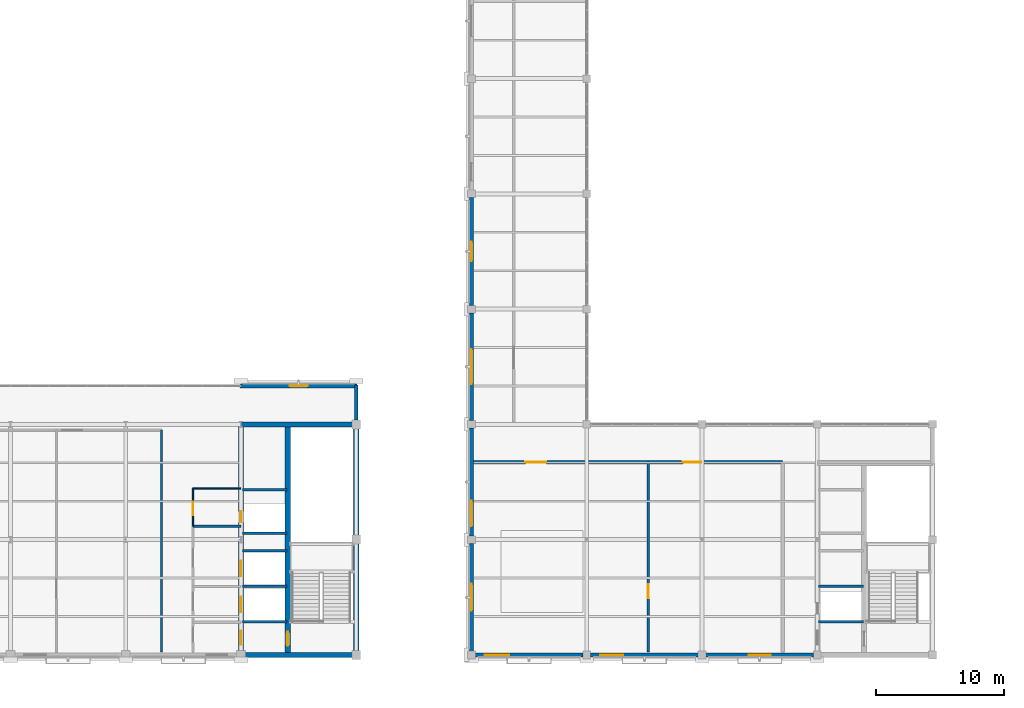
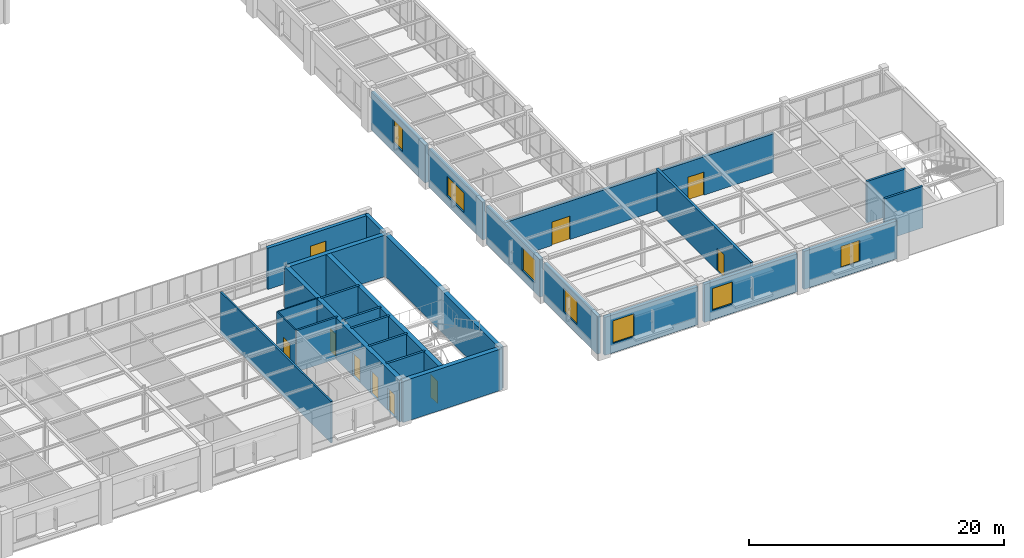
# One storey, part 113 of 130: 27 walls, 9 doors, 8 windows, 17 openings.
"""IFC4 building model written with IfcOpenShell, lengths in metres."""

import ifcopenshell
import ifcopenshell.guid

model = None  # the IFC model being written
_history = None  # IfcOwnerHistory: only IFC2X3 demands one
_inside = {}  # id of a spatial element -> (the spatial element, [elements in it])
_under = {}  # id of a project, library or spatial element -> (it, [spatial elements below it])
_declared = {}  # id of a project -> (the project, [libraries it declares])
_typed = {}  # id of a type object -> (the type object, [elements of that type])
_made_of = {}  # id of a material, layer set ... -> (it, [elements and type objects made of it])


def new_model(schema):
    """Start an empty IFC model of exactly this schema.

    Asked for "IFC4X3", IfcOpenShell would pick the latest addendum, in which some entities
    have other attributes; the version numbers below select the first issue.
    IFC2X3 requires an IfcOwnerHistory on every rooted entity: one is made here for all.
    """
    global model, _history
    if schema == "IFC4X3":
        model = ifcopenshell.file(schema_version=(4, 3, 0, 0))
    else:
        model = ifcopenshell.file(schema=schema)
    _inside.clear()
    _under.clear()
    _declared.clear()
    _typed.clear()
    _made_of.clear()
    _history = None
    if model.schema == "IFC2X3":
        org = make("IfcOrganization", Name="unknown")
        user = make(
            "IfcPersonAndOrganization",
            ThePerson=make("IfcPerson", FamilyName="unknown"),
            TheOrganization=org,
        )
        app = make(
            "IfcApplication",
            ApplicationDeveloper=org,
            Version="unknown",
            ApplicationFullName="unknown",
            ApplicationIdentifier="unknown",
        )
        _history = make(
            "IfcOwnerHistory",
            OwningUser=user,
            OwningApplication=app,
            ChangeAction="ADDED",
            CreationDate=0,
        )
    return model


def make(cls, **values):
    """One entity of the class cls with the attributes given. An attribute that is None is left unset."""
    return model.create_entity(
        cls, **{name: value for name, value in values.items() if value is not None}
    )


def rooted(cls, **values):
    """An entity with a GlobalId (a new one), such as an element, a storey or a relation."""
    return make(cls, GlobalId=ifcopenshell.guid.new(), OwnerHistory=_history, **values)


def si_unit(unit_type, name, prefix=None):
    """IfcSIUnit, for example si_unit("LENGTHUNIT", "METRE", prefix="MILLI")."""
    return make("IfcSIUnit", UnitType=unit_type, Prefix=prefix, Name=name)


def assignment(units):
    """IfcUnitAssignment: the units of a project."""
    return None if units is None else make("IfcUnitAssignment", Units=units)


def point(xyz):
    """IfcCartesianPoint."""
    return None if xyz is None else make("IfcCartesianPoint", Coordinates=xyz)


def direction(xyz):
    """IfcDirection."""
    return None if xyz is None else make("IfcDirection", DirectionRatios=xyz)


def frame(location, z_axis=None, x_axis=None):
    """IfcAxis2Placement3D, a coordinate frame: its origin and axes. An axis left out is left unset."""
    return make(
        "IfcAxis2Placement3D",
        Location=point(location),
        Axis=direction(z_axis),
        RefDirection=direction(x_axis),
    )


def frame_2d(location, x_axis=None):
    """IfcAxis2Placement2D, a coordinate frame in the plane: its origin and x axis."""
    return make(
        "IfcAxis2Placement2D", Location=point(location), RefDirection=direction(x_axis)
    )


def origin():
    """The frame at (0, 0, 0) with its axes left unset."""
    return frame((0.0, 0.0, 0.0))


def place(relative_to, where):
    """IfcLocalPlacement: puts the frame where relative to a parent placement (None: the world)."""
    return make(
        "IfcLocalPlacement", PlacementRelTo=relative_to, RelativePlacement=where
    )


def context(
    kind, dimensions, precision=None, world=None, true_north=None, identifier=None
):
    """IfcGeometricRepresentationContext, for example the 3D "Model" context."""
    return make(
        "IfcGeometricRepresentationContext",
        ContextIdentifier=identifier,
        ContextType=kind,
        CoordinateSpaceDimension=dimensions,
        Precision=precision,
        WorldCoordinateSystem=world,
        TrueNorth=true_north,
    )


def subcontext(parent, identifier, kind, view, scale=None):
    """IfcGeometricRepresentationSubContext, for example "Body" below "Model"."""
    return make(
        "IfcGeometricRepresentationSubContext",
        ContextIdentifier=identifier,
        ContextType=kind,
        ParentContext=parent,
        TargetScale=scale,
        TargetView=view,
    )


def project(units=None, contexts=None):
    """IfcProject with its units and contexts."""
    return rooted(
        "IfcProject",
        Name="project",
        RepresentationContexts=contexts,
        UnitsInContext=assignment(units),
    )


def spatial(cls, under=None, at=None, **own):
    """A site, building, storey or space (cls), placed at a placement, below another one or the project."""
    s = rooted(cls, ObjectPlacement=at, **own)
    if under is not None:
        _under.setdefault(under.id(), (under, []))[1].append(s)
    return s


def profile(cls, at=None, kind="AREA", **sizes):
    """A parametric profile (cls). Its sizes go by their IFC names, for example OverallWidth=200.0."""
    return make(cls, ProfileType=kind, Position=at, **sizes)


def rectangle(**sizes):
    """IfcRectangleProfileDef."""
    return profile("IfcRectangleProfileDef", **sizes)


def extrude(swept, where, along, depth):
    """IfcExtrudedAreaSolid: the profile swept, set in the frame where, extruded along a direction by depth."""
    return make(
        "IfcExtrudedAreaSolid",
        SweptArea=swept,
        Position=where,
        ExtrudedDirection=direction(along),
        Depth=depth,
    )


def shape(context_of_items, identifier, shape_type, items):
    """IfcShapeRepresentation: the items that make up one representation, for example the "Body"."""
    return make(
        "IfcShapeRepresentation",
        ContextOfItems=context_of_items,
        RepresentationIdentifier=identifier,
        RepresentationType=shape_type,
        Items=items,
    )


def material(Name=None, Category=None):
    """IfcMaterial."""
    return make("IfcMaterial", Name=Name, Category=Category)


def layer(
    of_material, thickness, ventilated=None, Name=None, Category=None, Priority=None
):
    """IfcMaterialLayer: one layer of a wall or slab, of a material (None: an air gap)."""
    return make(
        "IfcMaterialLayer",
        Material=of_material,
        LayerThickness=thickness,
        IsVentilated=ventilated,
        Name=Name,
        Category=Category,
        Priority=Priority,
    )


def layer_set(layers, Name=None):
    """IfcMaterialLayerSet."""
    return make("IfcMaterialLayerSet", MaterialLayers=layers, LayerSetName=Name)


def made_of(thing, what):
    """Note that an element or type object is made of a material, layer set ...; save() writes the relation."""
    if what is not None:
        _made_of.setdefault(what.id(), (what, []))[1].append(thing)
    return thing


def type_object(cls, material=None, **own):
    """A type object (cls), such as IfcWallType, which elements share."""
    return made_of(rooted(cls, **own), material)


def element(
    cls,
    number,
    at=None,
    inside=None,
    cuts=None,
    type_object=None,
    material=None,
    context=None,
    identifier="Body",
    shape_type=None,
    held_by="IfcProductDefinitionShape",
    body=None,
    shapes=None,
    **own,
):
    """One element of the class cls, such as IfcWall. Its Tag is "e" and its number.

    at: its placement. inside: the storey or other place that contains it. cuts: it is an
    opening in that element (IfcRelVoidsElement). A single representation is given by context,
    identifier, shape_type and body (its items); several are given by shapes. held_by: the class
    of the entity that holds the representations. save() writes the other relations.
    """
    e = rooted(cls, Tag="e%d" % number, ObjectPlacement=at, **own)
    if body is not None:
        shapes = [shape(context, identifier, shape_type, body)]
    if shapes is not None:
        e.Representation = make(held_by, Representations=shapes)
    if inside is not None:
        _inside.setdefault(inside.id(), (inside, []))[1].append(e)
    if cuts is not None:
        rooted(
            "IfcRelVoidsElement", RelatingBuildingElement=cuts, RelatedOpeningElement=e
        )
    if type_object is not None:
        _typed.setdefault(type_object.id(), (type_object, []))[1].append(e)
    return made_of(e, material)


def fill(opening, filler):
    """IfcRelFillsElement: the door or window that sits in an opening."""
    return rooted(
        "IfcRelFillsElement",
        RelatingOpeningElement=opening,
        RelatedBuildingElement=filler,
    )


def aggregate(whole, parts):
    """IfcRelAggregates: a whole, such as a stair, and the parts it consists of."""
    return rooted("IfcRelAggregates", RelatingObject=whole, RelatedObjects=parts)


def save(model, path):
    """Write the relations noted so far, then the file.

    IfcRelAggregates (storeys below a building ...), IfcRelContainedInSpatialStructure (elements
    in a storey), IfcRelDefinesByType, IfcRelAssociatesMaterial and IfcRelDeclares: one each for
    every whole, place, type object, material and project.
    """
    for whole, parts in _under.values():
        aggregate(whole, parts)
    for where, things in _inside.values():
        rooted(
            "IfcRelContainedInSpatialStructure",
            RelatedElements=things,
            RelatingStructure=where,
        )
    for kind, things in _typed.values():
        rooted("IfcRelDefinesByType", RelatedObjects=things, RelatingType=kind)
    for what, things in _made_of.values():
        rooted("IfcRelAssociatesMaterial", RelatedObjects=things, RelatingMaterial=what)
    for by, libraries in _declared.values():
        rooted("IfcRelDeclares", RelatingContext=by, RelatedDefinitions=libraries)
    model.write(path)


model = new_model("IFC4")

# Units and contexts
model_context = context("Model", 3, precision=1e-05, world=origin(), true_north=direction((0.0, 1.0)))
body_context = subcontext(model_context, "Body", "Model", "MODEL_VIEW")
ifc_project = project(units=[si_unit("LENGTHUNIT", "METRE"), si_unit("AREAUNIT", "SQUARE_METRE"), si_unit("VOLUMEUNIT", "CUBIC_METRE"), si_unit("PLANEANGLEUNIT", "RADIAN"), si_unit("MASSUNIT", "GRAM", prefix="KILO")], contexts=[model_context])

# Site, building, storey
site_placement = place(None, origin())
site = spatial("IfcSite", under=ifc_project, at=site_placement, CompositionType="ELEMENT")
building_placement = place(site_placement, origin())
building = spatial("IfcBuilding", under=site, at=building_placement, Name="Lykobir Media Centre", CompositionType="ELEMENT")
storey_placement = place(building_placement, frame((0.0, 0.0, 19.199951171875)))
storey = spatial("IfcBuildingStorey", under=building, at=storey_placement, Name="L04", CompositionType="ELEMENT", Elevation=19.199951171875)

# Wall
ifc_material_1 = material(Name="Glazed Turquoise Terracotta", Category="masonry")
ifc_layer_1 = layer(ifc_material_1, 0.31005859375, Name="Glazed Turquoise Terracotta")
ifc_layer_set_1 = layer_set([ifc_layer_1], Name="Glazed Turquoise Terracotta")
wall_type_1 = type_object("IfcWallType", Name="EW-TER-310", PredefinedType="STANDARD", material=ifc_layer_set_1)
wall_1_placement = place(storey_placement, frame((81.0, 18.3349609375, 0.0), z_axis=(0.0, 0.0, 1.0), x_axis=(0.0, 1.0, 0.0)))
element("IfcWall", 1, at=wall_1_placement, inside=storey, type_object=wall_type_1, Name="Exterior wall WALL-L04-0277", PredefinedType="STANDARD", context=body_context, shape_type="SweptSolid", body=[
    extrude(rectangle(XDim=2.739990234375, YDim=0.31005859375, at=frame_2d((1.3701171875, 0.0))), origin(), (0.0, 0.0, 1.0), 3.93994140625),
])

# Wall, opening, window
wall_2_placement = place(storey_placement, frame((81.074951171875, 21.0, 0.0), z_axis=(0.0, 0.0, 1.0), x_axis=(-1.0, 0.0, 0.0)))
wall_2 = element("IfcWall", 2, at=wall_2_placement, inside=storey, type_object=wall_type_1, Name="Exterior wall WALL-L04-0278", PredefinedType="STANDARD", context=body_context, shape_type="SweptSolid", body=[
    extrude(rectangle(XDim=9.14990234375, YDim=0.31005859375, at=frame_2d((4.574951171875, 0.0))), origin(), (0.0, 0.0, 1.0), 3.93994140625),
])
opening_1_placement = place(wall_2_placement, frame((3.875, 0.0, 0.89990234375)))
opening_1 = element("IfcOpeningElement", 3, at=opening_1_placement, cuts=wall_2, Name="Opening WN-1400x1900", PredefinedType="OPENING", context=body_context, shape_type="SweptSolid", body=[
    extrude(rectangle(XDim=1.39990234375, YDim=1.89990234375, at=frame_2d((0.699951171875, 0.949951171875))), frame((0.0, 0.1650390625, 0.0), z_axis=(0.0, -1.0, 0.0), x_axis=(1.0, 0.0, 0.0)), (0.0, 0.0, 1.0), 0.330078125),
])
ifc_material_2 = material(Name="Low-E Laminated Triple Glazing", Category="glass")
window_type_1 = type_object("IfcWindowType", Name="WN-1400x1900", PartitioningType="SINGLE_PANEL", PredefinedType="WINDOW", material=ifc_material_2)
window_1_placement = place(opening_1_placement, origin())
window_1 = element("IfcWindow", 4, at=window_1_placement, inside=storey, type_object=window_type_1, Name="Window WIN-L04-0103", OverallHeight=1.89990234375, OverallWidth=1.39990234375, PartitioningType="SINGLE_PANEL", PredefinedType="WINDOW", context=body_context, shape_type="SweptSolid", body=[
    extrude(rectangle(XDim=1.39990234375, YDim=1.89990234375, at=frame_2d((0.699951171875, 0.949951171875))), frame((0.0, 0.030029296875, 0.0), z_axis=(0.0, -1.0, 0.0), x_axis=(1.0, 0.0, 0.0)), (0.0, 0.0, 1.0), 0.06005859375),
])
fill(opening_1, window_1)

wall_3_placement = place(storey_placement, frame((90.0, 26.715087890625, 0.0), z_axis=(0.0, 0.0, 1.0), x_axis=(0.0, -1.0, 0.0)))
wall_3 = element("IfcWall", 5, at=wall_3_placement, inside=storey, type_object=wall_type_1, Name="Exterior wall WALL-L04-0295", PredefinedType="STANDARD", context=body_context, shape_type="SweptSolid", body=[
    extrude(rectangle(XDim=8.43017578125, YDim=0.31005859375, at=frame_2d((4.215087890625, 0.0))), origin(), (0.0, 0.0, 1.0), 3.635009765625),
])
opening_2_placement = place(wall_3_placement, frame((2.864990234375, 0.0, 0.89990234375)))
opening_2 = element("IfcOpeningElement", 6, at=opening_2_placement, cuts=wall_3, Name="Opening WN-2700x1850", PredefinedType="OPENING", context=body_context, shape_type="SweptSolid", body=[
    extrude(rectangle(XDim=2.699951171875, YDim=1.85009765625, at=frame_2d((1.35009765625, 0.925048828125))), frame((0.0, 0.1650390625, 0.0), z_axis=(0.0, -1.0, 0.0), x_axis=(1.0, 0.0, 0.0)), (0.0, 0.0, 1.0), 0.330078125),
])
window_type_2 = type_object("IfcWindowType", Name="WN-2700x1850", PartitioningType="SINGLE_PANEL", PredefinedType="WINDOW", material=ifc_material_2)
window_2_placement = place(opening_2_placement, origin())
window_2 = element("IfcWindow", 7, at=window_2_placement, inside=storey, type_object=window_type_2, Name="Window WIN-L04-0109", OverallHeight=1.85009765625, OverallWidth=2.699951171875, PartitioningType="SINGLE_PANEL", PredefinedType="WINDOW", context=body_context, shape_type="SweptSolid", body=[
    extrude(rectangle(XDim=2.699951171875, YDim=1.85009765625, at=frame_2d((1.35009765625, 0.925048828125))), frame((0.0, 0.030029296875, 0.0), z_axis=(0.0, -1.0, 0.0), x_axis=(1.0, 0.0, 0.0)), (0.0, 0.0, 1.0), 0.06005859375),
])
fill(opening_2, window_2)

wall_4_placement = place(storey_placement, frame((90.0, 35.715087890625, 0.0), z_axis=(0.0, 0.0, 1.0), x_axis=(0.0, -1.0, 0.0)))
wall_4 = element("IfcWall", 8, at=wall_4_placement, inside=storey, type_object=wall_type_1, Name="Exterior wall WALL-L04-0296", PredefinedType="STANDARD", context=body_context, shape_type="SweptSolid", body=[
    extrude(rectangle(XDim=8.43017578125, YDim=0.31005859375, at=frame_2d((4.215087890625, 0.0))), origin(), (0.0, 0.0, 1.0), 3.635009765625),
])
opening_3_placement = place(wall_4_placement, frame((3.465087890625, 0.0, 0.89990234375)))
opening_3 = element("IfcOpeningElement", 9, at=opening_3_placement, cuts=wall_4, Name="Opening WN-1500x2200", PredefinedType="OPENING", context=body_context, shape_type="SweptSolid", body=[
    extrude(rectangle(XDim=1.5, YDim=2.199951171875, at=frame_2d((0.75, 1.10009765625))), frame((0.0, 0.1650390625, 0.0), z_axis=(0.0, -1.0, 0.0), x_axis=(1.0, 0.0, 0.0)), (0.0, 0.0, 1.0), 0.330078125),
])
window_type_3 = type_object("IfcWindowType", Name="WN-1500x2200", PartitioningType="SINGLE_PANEL", PredefinedType="WINDOW", material=ifc_material_2)
window_3_placement = place(opening_3_placement, origin())
window_3 = element("IfcWindow", 10, at=window_3_placement, inside=storey, type_object=window_type_3, Name="Window WIN-L04-0110", OverallHeight=2.199951171875, OverallWidth=1.5, PartitioningType="SINGLE_PANEL", PredefinedType="WINDOW", context=body_context, shape_type="SweptSolid", body=[
    extrude(rectangle(XDim=1.5, YDim=2.199951171875, at=frame_2d((0.75, 1.10009765625))), frame((0.0, 0.030029296875, 0.0), z_axis=(0.0, -1.0, 0.0), x_axis=(1.0, 0.0, 0.0)), (0.0, 0.0, 1.0), 0.06005859375),
])
fill(opening_3, window_3)

wall_5_placement = place(storey_placement, frame((90.0, 8.715087890625, 0.0), z_axis=(0.0, 0.0, 1.0), x_axis=(0.0, -1.0, 0.0)))
wall_5 = element("IfcWall", 11, at=wall_5_placement, inside=storey, type_object=wall_type_1, Name="Exterior wall WALL-L04-0301", PredefinedType="STANDARD", context=body_context, shape_type="SweptSolid", body=[
    extrude(rectangle(XDim=8.43017578125, YDim=0.31005859375, at=frame_2d((4.215087890625, 0.0))), origin(), (0.0, 0.0, 1.0), 3.635009765625),
])
opening_4_placement = place(wall_5_placement, frame((3.1650390625, 0.0, 0.89990234375)))
opening_4 = element("IfcOpeningElement", 12, at=opening_4_placement, cuts=wall_5, Name="Opening WN-2100x2250", PredefinedType="OPENING", context=body_context, shape_type="SweptSolid", body=[
    extrude(rectangle(XDim=2.10009765625, YDim=2.25, at=frame_2d((1.050048828125, 1.125))), frame((0.0, 0.1650390625, 0.0), z_axis=(0.0, -1.0, 0.0), x_axis=(1.0, 0.0, 0.0)), (0.0, 0.0, 1.0), 0.330078125),
])
window_type_4 = type_object("IfcWindowType", Name="WN-2100x2250", PartitioningType="SINGLE_PANEL", PredefinedType="WINDOW", material=ifc_material_2)
window_4_placement = place(opening_4_placement, origin())
window_4 = element("IfcWindow", 13, at=window_4_placement, inside=storey, type_object=window_type_4, Name="Window WIN-L04-0115", OverallHeight=2.25, OverallWidth=2.10009765625, PartitioningType="SINGLE_PANEL", PredefinedType="WINDOW", context=body_context, shape_type="SweptSolid", body=[
    extrude(rectangle(XDim=2.10009765625, YDim=2.25, at=frame_2d((1.050048828125, 1.125))), frame((0.0, 0.030029296875, 0.0), z_axis=(0.0, -1.0, 0.0), x_axis=(1.0, 0.0, 0.0)), (0.0, 0.0, 1.0), 0.06005859375),
])
fill(opening_4, window_4)

wall_6_placement = place(storey_placement, frame((90.0, 17.715087890625, 0.0), z_axis=(0.0, 0.0, 1.0), x_axis=(0.0, -1.0, 0.0)))
wall_6 = element("IfcWall", 14, at=wall_6_placement, inside=storey, type_object=wall_type_1, Name="Exterior wall WALL-L04-0302", PredefinedType="STANDARD", context=body_context, shape_type="SweptSolid", body=[
    extrude(rectangle(XDim=8.43017578125, YDim=0.31005859375, at=frame_2d((4.215087890625, 0.0))), origin(), (0.0, 0.0, 1.0), 3.635009765625),
])
opening_5_placement = place(wall_6_placement, frame((5.679931640625, 0.0, 0.89990234375)))
opening_5 = element("IfcOpeningElement", 15, at=opening_5_placement, cuts=wall_6, Name="Opening WN-2000x2200", PredefinedType="OPENING", context=body_context, shape_type="SweptSolid", body=[
    extrude(rectangle(XDim=2.0, YDim=2.199951171875, at=frame_2d((1.0, 1.10009765625))), frame((0.0, 0.1650390625, 0.0), z_axis=(0.0, -1.0, 0.0), x_axis=(1.0, 0.0, 0.0)), (0.0, 0.0, 1.0), 0.330078125),
])
window_type_5 = type_object("IfcWindowType", Name="WN-2000x2200", PartitioningType="SINGLE_PANEL", PredefinedType="WINDOW", material=ifc_material_2)
window_5_placement = place(opening_5_placement, origin())
window_5 = element("IfcWindow", 16, at=window_5_placement, inside=storey, type_object=window_type_5, Name="Window WIN-L04-0116", OverallHeight=2.199951171875, OverallWidth=2.0, PartitioningType="SINGLE_PANEL", PredefinedType="WINDOW", context=body_context, shape_type="SweptSolid", body=[
    extrude(rectangle(XDim=2.0, YDim=2.199951171875, at=frame_2d((1.0, 1.10009765625))), frame((0.0, 0.030029296875, 0.0), z_axis=(0.0, -1.0, 0.0), x_axis=(1.0, 0.0, 0.0)), (0.0, 0.0, 1.0), 0.06005859375),
])
fill(opening_5, window_5)

wall_7_placement = place(storey_placement, frame((90.284912109375, 0.0, 0.0), z_axis=(0.0, 0.0, 1.0), x_axis=(1.0, 0.0, 0.0)))
wall_7 = element("IfcWall", 17, at=wall_7_placement, inside=storey, type_object=wall_type_1, Name="Exterior wall WALL-L04-0303", PredefinedType="STANDARD", context=body_context, shape_type="SweptSolid", body=[
    extrude(rectangle(XDim=8.43017578125, YDim=0.31005859375, at=frame_2d((4.215087890625, 0.0))), origin(), (0.0, 0.0, 1.0), 3.635009765625),
])
opening_6_placement = place(wall_7_placement, frame((0.75, 0.0, 0.89990234375)))
opening_6 = element("IfcOpeningElement", 18, at=opening_6_placement, cuts=wall_7, Name="Opening WN-1900x2150", PredefinedType="OPENING", context=body_context, shape_type="SweptSolid", body=[
    extrude(rectangle(XDim=1.89990234375, YDim=2.14990234375, at=frame_2d((0.949951171875, 1.074951171875))), frame((0.0, 0.1650390625, 0.0), z_axis=(0.0, -1.0, 0.0), x_axis=(1.0, 0.0, 0.0)), (0.0, 0.0, 1.0), 0.330078125),
])
window_type_6 = type_object("IfcWindowType", Name="WN-1900x2150", PartitioningType="SINGLE_PANEL", PredefinedType="WINDOW", material=ifc_material_2)
window_6_placement = place(opening_6_placement, origin())
window_6 = element("IfcWindow", 19, at=window_6_placement, inside=storey, type_object=window_type_6, Name="Window WIN-L04-0117", OverallHeight=2.14990234375, OverallWidth=1.89990234375, PartitioningType="SINGLE_PANEL", PredefinedType="WINDOW", context=body_context, shape_type="SweptSolid", body=[
    extrude(rectangle(XDim=1.89990234375, YDim=2.14990234375, at=frame_2d((0.949951171875, 1.074951171875))), frame((0.0, 0.030029296875, 0.0), z_axis=(0.0, -1.0, 0.0), x_axis=(1.0, 0.0, 0.0)), (0.0, 0.0, 1.0), 0.06005859375),
])
fill(opening_6, window_6)

wall_8_placement = place(storey_placement, frame((99.284912109375, 0.0, 0.0), z_axis=(0.0, 0.0, 1.0), x_axis=(1.0, 0.0, 0.0)))
wall_8 = element("IfcWall", 20, at=wall_8_placement, inside=storey, type_object=wall_type_1, Name="Exterior wall WALL-L04-0304", PredefinedType="STANDARD", context=body_context, shape_type="SweptSolid", body=[
    extrude(rectangle(XDim=8.43017578125, YDim=0.31005859375, at=frame_2d((4.215087890625, 0.0))), origin(), (0.0, 0.0, 1.0), 3.635009765625),
])
opening_7_placement = place(wall_8_placement, frame((0.75, 0.0, 0.89990234375)))
opening_7 = element("IfcOpeningElement", 21, at=opening_7_placement, cuts=wall_8, Name="Opening WN-1800x2100", PredefinedType="OPENING", context=body_context, shape_type="SweptSolid", body=[
    extrude(rectangle(XDim=1.800048828125, YDim=2.10009765625, at=frame_2d((0.89990234375, 1.050048828125))), frame((0.0, 0.1650390625, 0.0), z_axis=(0.0, -1.0, 0.0), x_axis=(1.0, 0.0, 0.0)), (0.0, 0.0, 1.0), 0.330078125),
])
window_type_7 = type_object("IfcWindowType", Name="WN-1800x2100", PartitioningType="SINGLE_PANEL", PredefinedType="WINDOW", material=ifc_material_2)
window_7_placement = place(opening_7_placement, origin())
window_7 = element("IfcWindow", 22, at=window_7_placement, inside=storey, type_object=window_type_7, Name="Window WIN-L04-0118", OverallHeight=2.10009765625, OverallWidth=1.800048828125, PartitioningType="SINGLE_PANEL", PredefinedType="WINDOW", context=body_context, shape_type="SweptSolid", body=[
    extrude(rectangle(XDim=1.800048828125, YDim=2.10009765625, at=frame_2d((0.89990234375, 1.050048828125))), frame((0.0, 0.030029296875, 0.0), z_axis=(0.0, -1.0, 0.0), x_axis=(1.0, 0.0, 0.0)), (0.0, 0.0, 1.0), 0.06005859375),
])
fill(opening_7, window_7)

wall_9_placement = place(storey_placement, frame((108.284912109375, 0.0, 0.0), z_axis=(0.0, 0.0, 1.0), x_axis=(1.0, 0.0, 0.0)))
wall_9 = element("IfcWall", 23, at=wall_9_placement, inside=storey, type_object=wall_type_1, Name="Exterior wall WALL-L04-0305", PredefinedType="STANDARD", context=body_context, shape_type="SweptSolid", body=[
    extrude(rectangle(XDim=8.43017578125, YDim=0.31005859375, at=frame_2d((4.215087890625, 0.0))), origin(), (0.0, 0.0, 1.0), 3.635009765625),
])
opening_8_placement = place(wall_9_placement, frame((3.364990234375, 0.0, 0.89990234375)))
opening_8 = element("IfcOpeningElement", 24, at=opening_8_placement, cuts=wall_9, Name="Opening WN-1700x2050", PredefinedType="OPENING", context=body_context, shape_type="SweptSolid", body=[
    extrude(rectangle(XDim=1.699951171875, YDim=2.050048828125, at=frame_2d((0.85009765625, 1.02490234375))), frame((0.0, 0.1650390625, 0.0), z_axis=(0.0, -1.0, 0.0), x_axis=(1.0, 0.0, 0.0)), (0.0, 0.0, 1.0), 0.330078125),
])
window_type_8 = type_object("IfcWindowType", Name="WN-1700x2050", PartitioningType="SINGLE_PANEL", PredefinedType="WINDOW", material=ifc_material_2)
window_8_placement = place(opening_8_placement, origin())
window_8 = element("IfcWindow", 25, at=window_8_placement, inside=storey, type_object=window_type_8, Name="Window WIN-L04-0119", OverallHeight=2.050048828125, OverallWidth=1.699951171875, PartitioningType="SINGLE_PANEL", PredefinedType="WINDOW", context=body_context, shape_type="SweptSolid", body=[
    extrude(rectangle(XDim=1.699951171875, YDim=2.050048828125, at=frame_2d((0.85009765625, 1.02490234375))), frame((0.0, 0.030029296875, 0.0), z_axis=(0.0, -1.0, 0.0), x_axis=(1.0, 0.0, 0.0)), (0.0, 0.0, 1.0), 0.06005859375),
])
fill(opening_8, window_8)

# Walls
ifc_material_3 = material(Name="Acoustic Gypsum Board", Category="gypsum")
ifc_layer_2 = layer(ifc_material_3, 0.159912109375, Name="Acoustic Gypsum Board")
ifc_layer_set_2 = layer_set([ifc_layer_2], Name="Acoustic Gypsum Board")
wall_type_2 = type_object("IfcWallType", Name="IW-COR-160", PredefinedType="PARTITIONING", material=ifc_layer_set_2)
wall_10_placement = place(storey_placement, frame((65.800048828125, 0.219970703125, 0.0), z_axis=(0.0, 0.0, 1.0), x_axis=(0.0, 1.0, 0.0)))
element("IfcWall", 26, at=wall_10_placement, inside=storey, type_object=wall_type_2, Name="Wall IWALL-L04-0736", PredefinedType="PARTITIONING", context=body_context, shape_type="SweptSolid", body=[
    extrude(rectangle(XDim=17.330078125, YDim=0.159912109375, at=frame_2d((8.6650390625, 0.0))), origin(), (0.0, 0.0, 1.0), 3.9599609375),
])
ifc_layer_3 = layer(ifc_material_3, 0.179931640625, Name="Acoustic Gypsum Board")
ifc_layer_set_3 = layer_set([ifc_layer_3], Name="Acoustic Gypsum Board")
wall_type_3 = type_object("IfcWallType", Name="IW-FFLOB-180", PredefinedType="PARTITIONING", material=ifc_layer_set_3)
wall_11_placement = place(storey_placement, frame((68.25, 10.050048828125, 0.0), z_axis=(0.0, 0.0, 1.0), x_axis=(1.0, 0.0, 0.0)))
element("IfcWall", 27, at=wall_11_placement, inside=storey, type_object=wall_type_3, Name="Wall IWALL-L04-0276", PredefinedType="PARTITIONING", context=body_context, shape_type="SweptSolid", body=[
    extrude(rectangle(XDim=3.75, YDim=0.179931640625, at=frame_2d((1.875, 0.0))), origin(), (0.0, 0.0, 1.0), 3.9599609375),
])
ifc_material_4 = material(Name="Concrete C30/37", Category="concrete")
ifc_layer_4 = layer(ifc_material_4, 0.199951171875, Name="Concrete C30/37")
ifc_layer_set_4 = layer_set([ifc_layer_4], Name="Concrete C30/37")
wall_type_4 = type_object("IfcWallType", Name="IW-SHAFT-200", PredefinedType="PARTITIONING", material=ifc_layer_set_4)
for number, where, z_axis, x_axis, name in (
    (28, (72.10009765625, 2.60009765625, 0.0), (0.0, 0.0, 1.0), (1.0, 0.0, 0.0), "Wall IWALL-L04-0268"),
    (29, (72.10009765625, 5.35009765625, 0.0), (0.0, 0.0, 1.0), (1.0, 0.0, 0.0), "Wall IWALL-L04-0269"),
    (30, (72.10009765625, 8.14990234375, 0.0), (0.0, 0.0, 1.0), (1.0, 0.0, 0.0), "Wall IWALL-L04-0270"),
    (31, (72.10009765625, 9.5, 0.0), (0.0, 0.0, 1.0), (1.0, 0.0, 0.0), "Wall IWALL-L04-0271"),
    (32, (72.10009765625, 12.89990234375, 0.0), (0.0, 0.0, 1.0), (1.0, 0.0, 0.0), "Wall IWALL-L04-0272"),
    (33, (117.10009765625, 2.60009765625, 0.0), (0.0, 0.0, 1.0), (1.0, 0.0, 0.0), "Wall IWALL-L04-0629"),
    (34, (117.10009765625, 5.35009765625, 0.0), (0.0, 0.0, 1.0), (1.0, 0.0, 0.0), "Wall IWALL-L04-0630"),
):
    element("IfcWall", number, at=place(storey_placement, frame(where, z_axis=z_axis, x_axis=x_axis)), inside=storey, type_object=wall_type_4, Name=name, PredefinedType="PARTITIONING", context=body_context, shape_type="SweptSolid", body=[
        extrude(rectangle(XDim=3.5, YDim=0.199951171875, at=frame_2d((1.75, 0.0))), origin(), (0.0, 0.0, 1.0), 3.9599609375),
    ])

# Wall, opening, door
ifc_layer_5 = layer(ifc_material_3, 0.219970703125, Name="Acoustic Gypsum Board")
ifc_layer_set_5 = layer_set([ifc_layer_5], Name="Acoustic Gypsum Board")
wall_type_5 = type_object("IfcWallType", Name="IW-STU-220", PredefinedType="PARTITIONING", material=ifc_layer_set_5)
wall_12_placement = place(storey_placement, frame((103.800048828125, 0.219970703125, 0.0), z_axis=(0.0, 0.0, 1.0), x_axis=(0.0, 1.0, 0.0)))
wall_12 = element("IfcWall", 35, at=wall_12_placement, inside=storey, type_object=wall_type_5, Name="Wall IWALL-L04-0751", PredefinedType="PARTITIONING", context=body_context, shape_type="SweptSolid", body=[
    extrude(rectangle(XDim=14.830078125, YDim=0.219970703125, at=frame_2d((7.4150390625, 0.0))), origin(), (0.0, 0.0, 1.0), 3.9599609375),
])
opening_9_placement = place(wall_12_placement, frame((4.199951171875, 0.0, 0.0)))
opening_9 = element("IfcOpeningElement", 36, at=opening_9_placement, cuts=wall_12, Name="Opening D-L04-RADS", PredefinedType="OPENING", context=body_context, shape_type="SweptSolid", body=[
    extrude(rectangle(XDim=1.10009765625, YDim=2.159912109375, at=frame_2d((0.550048828125, 1.080078125))), frame((0.0, 0.119873046875, 0.0), z_axis=(0.0, -1.0, 0.0), x_axis=(1.0, 0.0, 0.0)), (0.0, 0.0, 1.0), 0.239990234375),
])
ifc_material_5 = material(Name="Acoustic Timber Panelling", Category="wood")
door_type_1 = type_object("IfcDoorType", Name="FD-1100x2160", OperationType="NOTDEFINED", PredefinedType="DOOR", material=ifc_material_5)
door_1_placement = place(opening_9_placement, origin())
door_1 = element("IfcDoor", 37, at=door_1_placement, inside=storey, type_object=door_type_1, Name="Door D-L04-RADS", OperationType="SINGLE_SWING_RIGHT", OverallHeight=2.159912109375, OverallWidth=1.10009765625, PredefinedType="DOOR", context=body_context, shape_type="SweptSolid", body=[
    extrude(rectangle(XDim=1.10009765625, YDim=2.159912109375, at=frame_2d((0.550048828125, 1.080078125))), frame((0.0, 0.02490234375, 0.0), z_axis=(0.0, -1.0, 0.0), x_axis=(1.0, 0.0, 0.0)), (0.0, 0.0, 1.0), 0.050048828125),
])
fill(opening_9, door_1)

# Wall, openings, doors
ifc_layer_6 = layer(ifc_material_3, 0.260009765625, Name="Acoustic Gypsum Board")
ifc_layer_set_6 = layer_set([ifc_layer_6], Name="Acoustic Gypsum Board")
wall_type_6 = type_object("IfcWallType", Name="IW-STU-260", PredefinedType="PARTITIONING", material=ifc_layer_set_6)
wall_13_placement = place(storey_placement, frame((90.0, 15.050048828125, 0.0), z_axis=(0.0, 0.0, 1.0), x_axis=(1.0, 0.0, 0.0)))
wall_13 = element("IfcWall", 38, at=wall_13_placement, inside=storey, type_object=wall_type_6, Name="Wall IWALL-L04-0748", PredefinedType="PARTITIONING", context=body_context, shape_type="SweptSolid", body=[
    extrude(rectangle(XDim=24.300048828125, YDim=0.260009765625, at=frame_2d((12.14990234375, 0.0))), origin(), (0.0, 0.0, 1.0), 3.675048828125),
])
opening_10_placement = place(wall_13_placement, frame((4.199951171875, 0.0, 0.0)))
opening_10 = element("IfcOpeningElement", 39, at=opening_10_placement, cuts=wall_13, Name="Opening D-L04-ES1", PredefinedType="OPENING", context=body_context, shape_type="SweptSolid", body=[
    extrude(rectangle(XDim=1.64990234375, YDim=2.25, at=frame_2d((0.824951171875, 1.125))), frame((0.0, 0.139892578125, 0.0), z_axis=(0.0, -1.0, 0.0), x_axis=(1.0, 0.0, 0.0)), (0.0, 0.0, 1.0), 0.280029296875),
])
opening_11_placement = place(wall_13_placement, frame((16.5, 0.0, 0.0)))
opening_11 = element("IfcOpeningElement", 40, at=opening_11_placement, cuts=wall_13, Name="Opening D-L04-ES2", PredefinedType="OPENING", context=body_context, shape_type="SweptSolid", body=[
    extrude(rectangle(XDim=1.449951171875, YDim=2.219970703125, at=frame_2d((0.72509765625, 1.10986328125))), frame((0.0, 0.139892578125, 0.0), z_axis=(0.0, -1.0, 0.0), x_axis=(1.0, 0.0, 0.0)), (0.0, 0.0, 1.0), 0.280029296875),
])
door_type_2 = type_object("IfcDoorType", Name="FD-1450x2220", OperationType="NOTDEFINED", PredefinedType="DOOR", material=ifc_material_5)
door_2_placement = place(opening_11_placement, origin())
door_2 = element("IfcDoor", 41, at=door_2_placement, inside=storey, type_object=door_type_2, Name="Door D-L04-ES2", OperationType="DOUBLE_DOOR_SINGLE_SWING", OverallHeight=2.219970703125, OverallWidth=1.449951171875, PredefinedType="DOOR", context=body_context, shape_type="SweptSolid", body=[
    extrude(rectangle(XDim=1.449951171875, YDim=2.219970703125, at=frame_2d((0.72509765625, 1.10986328125))), frame((0.0, 0.02490234375, 0.0), z_axis=(0.0, -1.0, 0.0), x_axis=(1.0, 0.0, 0.0)), (0.0, 0.0, 1.0), 0.050048828125),
])
fill(opening_11, door_2)
door_type_3 = type_object("IfcDoorType", Name="FD-1650x2250", OperationType="NOTDEFINED", PredefinedType="DOOR", material=ifc_material_5)
door_3_placement = place(opening_10_placement, origin())
door_3 = element("IfcDoor", 42, at=door_3_placement, inside=storey, type_object=door_type_3, Name="Door D-L04-ES1", OperationType="DOUBLE_DOOR_SINGLE_SWING", OverallHeight=2.25, OverallWidth=1.64990234375, PredefinedType="DOOR", context=body_context, shape_type="SweptSolid", body=[
    extrude(rectangle(XDim=1.64990234375, YDim=2.25, at=frame_2d((0.824951171875, 1.125))), frame((0.0, 0.02490234375, 0.0), z_axis=(0.0, -1.0, 0.0), x_axis=(1.0, 0.0, 0.0)), (0.0, 0.0, 1.0), 0.050048828125),
])
fill(opening_10, door_3)

# Wall, opening, door
ifc_layer_7 = layer(ifc_material_3, 0.094970703125, Name="Acoustic Gypsum Board")
ifc_layer_set_7 = layer_set([ifc_layer_7], Name="Acoustic Gypsum Board")
wall_type_7 = type_object("IfcWallType", Name="IW-WC-095", PredefinedType="PARTITIONING", material=ifc_layer_set_7)
wall_14_placement = place(storey_placement, frame((68.25, 10.050048828125, 0.0), z_axis=(0.0, 0.0, 1.0), x_axis=(0.0, 1.0, 0.0)))
wall_14 = element("IfcWall", 43, at=wall_14_placement, inside=storey, type_object=wall_type_7, Name="Wall IWALL-L04-0277", PredefinedType="PARTITIONING", context=body_context, shape_type="SweptSolid", body=[
    extrude(rectangle(XDim=2.949951171875, YDim=0.094970703125, at=frame_2d((1.47509765625, 0.0))), origin(), (0.0, 0.0, 1.0), 3.9599609375),
])
opening_12_placement = place(wall_14_placement, frame((0.85009765625, 0.0, 0.0)))
opening_12 = element("IfcOpeningElement", 44, at=opening_12_placement, cuts=wall_14, Name="Opening D-L04-WCA2", PredefinedType="OPENING", context=body_context, shape_type="SweptSolid", body=[
    extrude(rectangle(XDim=1.050048828125, YDim=2.1298828125, at=frame_2d((0.52490234375, 1.06494140625))), frame((0.0, 0.057373046875, 0.0), z_axis=(0.0, -1.0, 0.0), x_axis=(1.0, 0.0, 0.0)), (0.0, 0.0, 1.0), 0.114990234375),
])
door_type_4 = type_object("IfcDoorType", Name="ID-1050x2130", OperationType="NOTDEFINED", PredefinedType="DOOR", material=ifc_material_5)
door_4_placement = place(opening_12_placement, origin())
door_4 = element("IfcDoor", 45, at=door_4_placement, inside=storey, type_object=door_type_4, Name="Door D-L04-WCA2", OperationType="SINGLE_SWING_LEFT", OverallHeight=2.1298828125, OverallWidth=1.050048828125, PredefinedType="DOOR", context=body_context, shape_type="SweptSolid", body=[
    extrude(rectangle(XDim=1.050048828125, YDim=2.1298828125, at=frame_2d((0.52490234375, 1.06494140625))), frame((0.0, 0.02490234375, 0.0), z_axis=(0.0, -1.0, 0.0), x_axis=(1.0, 0.0, 0.0)), (0.0, 0.0, 1.0), 0.050048828125),
])
fill(opening_12, door_4)

# Wall
wall_15_placement = place(storey_placement, frame((68.25, 13.0, 0.0), z_axis=(0.0, 0.0, 1.0), x_axis=(1.0, 0.0, 0.0)))
element("IfcWall", 46, at=wall_15_placement, inside=storey, type_object=wall_type_7, Name="Wall IWALL-L04-0278", PredefinedType="PARTITIONING", context=body_context, shape_type="SweptSolid", body=[
    extrude(rectangle(XDim=3.75, YDim=0.094970703125, at=frame_2d((1.875, 0.0))), origin(), (0.0, 0.0, 1.0), 3.9599609375),
])

# Wall, openings, doors
ifc_material_6 = material(Name="Concrete C40/50", Category="concrete")
ifc_layer_8 = layer(ifc_material_6, 0.39990234375, Name="Concrete C40/50")
ifc_layer_set_8 = layer_set([ifc_layer_8], Name="Concrete C40/50")
wall_type_8 = type_object("IfcWallType", Name="SW-CORE-400", PredefinedType="SHEAR", material=ifc_layer_set_8)
wall_16_placement = place(storey_placement, frame((72.0, 18.0, 0.0), z_axis=(0.0, 0.0, 1.0), x_axis=(0.0, -1.0, 0.0)))
wall_16 = element("IfcWall", 47, at=wall_16_placement, inside=storey, type_object=wall_type_8, Name="Wall IWALL-L04-0266", PredefinedType="SHEAR", context=body_context, shape_type="SweptSolid", body=[
    extrude(rectangle(XDim=18.0, YDim=0.39990234375, at=frame_2d((9.0, 0.0))), origin(), (0.0, 0.0, 1.0), 3.9599609375),
])
opening_13_placement = place(wall_16_placement, frame((16.10009765625, 0.0, 0.0)))
opening_13 = element("IfcOpeningElement", 48, at=opening_13_placement, cuts=wall_16, Name="Opening D-L04-C2VB", PredefinedType="OPENING", context=body_context, shape_type="SweptSolid", body=[
    extrude(rectangle(XDim=1.10009765625, YDim=2.159912109375, at=frame_2d((0.550048828125, 1.080078125))), frame((0.0, 0.2099609375, 0.0), z_axis=(0.0, -1.0, 0.0), x_axis=(1.0, 0.0, 0.0)), (0.0, 0.0, 1.0), 0.419921875),
])
opening_14_placement = place(wall_16_placement, frame((13.449951171875, 0.0, 0.0)))
opening_14 = element("IfcOpeningElement", 49, at=opening_14_placement, cuts=wall_16, Name="Opening LD-L04-PL-2", PredefinedType="OPENING", context=body_context, shape_type="SweptSolid", body=[
    extrude(rectangle(XDim=1.199951171875, YDim=2.199951171875, at=frame_2d((0.60009765625, 1.10009765625))), frame((0.0, 0.2099609375, 0.0), z_axis=(0.0, -1.0, 0.0), x_axis=(1.0, 0.0, 0.0)), (0.0, 0.0, 1.0), 0.419921875),
])
opening_15_placement = place(wall_16_placement, frame((10.64990234375, 0.0, 0.0)))
opening_15 = element("IfcOpeningElement", 50, at=opening_15_placement, cuts=wall_16, Name="Opening LD-L04-FL-2", PredefinedType="OPENING", context=body_context, shape_type="SweptSolid", body=[
    extrude(rectangle(XDim=1.199951171875, YDim=2.199951171875, at=frame_2d((0.60009765625, 1.10009765625))), frame((0.0, 0.2099609375, 0.0), z_axis=(0.0, -1.0, 0.0), x_axis=(1.0, 0.0, 0.0)), (0.0, 0.0, 1.0), 0.419921875),
])
opening_16_placement = place(wall_16_placement, frame((6.800048828125, 0.0, 0.0)))
opening_16 = element("IfcOpeningElement", 51, at=opening_16_placement, cuts=wall_16, Name="Opening D-L04-C2RS", PredefinedType="OPENING", context=body_context, shape_type="SweptSolid", body=[
    extrude(rectangle(XDim=0.85009765625, YDim=2.10009765625, at=frame_2d((0.425048828125, 1.050048828125))), frame((0.0, 0.2099609375, 0.0), z_axis=(0.0, -1.0, 0.0), x_axis=(1.0, 0.0, 0.0)), (0.0, 0.0, 1.0), 0.419921875),
])
ifc_material_7 = material(Name="Anodized Aluminium AW-6060", Category="aluminium")
door_type_5 = type_object("IfcDoorType", Name="FD-0850x2100", OperationType="NOTDEFINED", PredefinedType="DOOR", material=ifc_material_7)
door_5_placement = place(opening_16_placement, origin())
door_5 = element("IfcDoor", 52, at=door_5_placement, inside=storey, type_object=door_type_5, Name="Riser access door C2 L04", OperationType="SINGLE_SWING_LEFT", OverallHeight=2.10009765625, OverallWidth=0.85009765625, PredefinedType="DOOR", context=body_context, shape_type="SweptSolid", body=[
    extrude(rectangle(XDim=0.85009765625, YDim=2.10009765625, at=frame_2d((0.425048828125, 1.050048828125))), frame((0.0, 0.02490234375, 0.0), z_axis=(0.0, -1.0, 0.0), x_axis=(1.0, 0.0, 0.0)), (0.0, 0.0, 1.0), 0.050048828125),
])
fill(opening_16, door_5)
door_6_placement = place(opening_13_placement, origin())
door_6 = element("IfcDoor", 53, at=door_6_placement, inside=storey, type_object=door_type_1, Name="Door D-L04-C2VB", OperationType="SINGLE_SWING_RIGHT", OverallHeight=2.159912109375, OverallWidth=1.10009765625, PredefinedType="DOOR", context=body_context, shape_type="SweptSolid", body=[
    extrude(rectangle(XDim=1.10009765625, YDim=2.159912109375, at=frame_2d((0.550048828125, 1.080078125))), frame((0.0, 0.02490234375, 0.0), z_axis=(0.0, -1.0, 0.0), x_axis=(1.0, 0.0, 0.0)), (0.0, 0.0, 1.0), 0.050048828125),
])
fill(opening_13, door_6)
door_type_6 = type_object("IfcDoorType", Name="LD-1200x2200", OperationType="NOTDEFINED", PredefinedType="DOOR", material=ifc_material_7)
door_7_placement = place(opening_14_placement, origin())
door_7 = element("IfcDoor", 54, at=door_7_placement, inside=storey, type_object=door_type_6, Name="Lift landing door PL-2 L04", OperationType="SLIDING_TO_LEFT", OverallHeight=2.199951171875, OverallWidth=1.199951171875, PredefinedType="DOOR", context=body_context, shape_type="SweptSolid", body=[
    extrude(rectangle(XDim=1.199951171875, YDim=2.199951171875, at=frame_2d((0.60009765625, 1.10009765625))), frame((0.0, 0.02490234375, 0.0), z_axis=(0.0, -1.0, 0.0), x_axis=(1.0, 0.0, 0.0)), (0.0, 0.0, 1.0), 0.050048828125),
])
fill(opening_14, door_7)
door_8_placement = place(opening_15_placement, origin())
door_8 = element("IfcDoor", 55, at=door_8_placement, inside=storey, type_object=door_type_6, Name="Firefighting lift landing door FL-2 L04", OperationType="SLIDING_TO_LEFT", OverallHeight=2.199951171875, OverallWidth=1.199951171875, PredefinedType="DOOR", context=body_context, shape_type="SweptSolid", body=[
    extrude(rectangle(XDim=1.199951171875, YDim=2.199951171875, at=frame_2d((0.60009765625, 1.10009765625))), frame((0.0, 0.02490234375, 0.0), z_axis=(0.0, -1.0, 0.0), x_axis=(1.0, 0.0, 0.0)), (0.0, 0.0, 1.0), 0.050048828125),
])
fill(opening_15, door_8)

# Wall, opening, door
wall_17_placement = place(storey_placement, frame((75.64990234375, 0.0, 0.0), z_axis=(0.0, 0.0, 1.0), x_axis=(0.0, 1.0, 0.0)))
wall_17 = element("IfcWall", 56, at=wall_17_placement, inside=storey, type_object=wall_type_8, Name="Wall IWALL-L04-0267", PredefinedType="SHEAR", context=body_context, shape_type="SweptSolid", body=[
    extrude(rectangle(XDim=18.0, YDim=0.39990234375, at=frame_2d((9.0, 0.0))), origin(), (0.0, 0.0, 1.0), 3.9599609375),
])
opening_17_placement = place(wall_17_placement, frame((0.699951171875, 0.0, 0.0)))
opening_17 = element("IfcOpeningElement", 57, at=opening_17_placement, cuts=wall_17, Name="Opening D-L04-C2ST", PredefinedType="OPENING", context=body_context, shape_type="SweptSolid", body=[
    extrude(rectangle(XDim=1.10009765625, YDim=2.159912109375, at=frame_2d((0.550048828125, 1.080078125))), frame((0.0, 0.2099609375, 0.0), z_axis=(0.0, -1.0, 0.0), x_axis=(1.0, 0.0, 0.0)), (0.0, 0.0, 1.0), 0.419921875),
])
door_9_placement = place(opening_17_placement, origin())
door_9 = element("IfcDoor", 58, at=door_9_placement, inside=storey, type_object=door_type_1, Name="L04 ST-2 stairwell fire door", OperationType="SINGLE_SWING_LEFT", OverallHeight=2.159912109375, OverallWidth=1.10009765625, PredefinedType="DOOR", context=body_context, shape_type="SweptSolid", body=[
    extrude(rectangle(XDim=1.10009765625, YDim=2.159912109375, at=frame_2d((0.550048828125, 1.080078125))), frame((0.0, 0.02490234375, 0.0), z_axis=(0.0, -1.0, 0.0), x_axis=(1.0, 0.0, 0.0)), (0.0, 0.0, 1.0), 0.050048828125),
])
fill(opening_17, door_9)

# Walls
ifc_layer_9 = layer(ifc_material_6, 0.39990234375, Name="Concrete C40/50")
ifc_layer_set_9 = layer_set([ifc_layer_9], Name="Concrete C40/50")
wall_type_9 = type_object("IfcWallType", Name="SW-CORE-400-E", PredefinedType="SHEAR", material=ifc_layer_set_9)
wall_18_placement = place(storey_placement, frame((72.0, 0.0, 0.0), z_axis=(0.0, 0.0, 1.0), x_axis=(1.0, 0.0, 0.0)))
element("IfcWall", 59, at=wall_18_placement, inside=storey, type_object=wall_type_9, Name="Wall IWALL-L04-0263", PredefinedType="SHEAR", context=body_context, shape_type="SweptSolid", body=[
    extrude(rectangle(XDim=9.0, YDim=0.39990234375, at=frame_2d((4.5, 0.0))), origin(), (0.0, 0.0, 1.0), 3.9599609375),
])
wall_19_placement = place(storey_placement, frame((81.0, 0.0, 0.0), z_axis=(0.0, 0.0, 1.0), x_axis=(0.0, 1.0, 0.0)))
element("IfcWall", 60, at=wall_19_placement, inside=storey, type_object=wall_type_9, Name="Wall IWALL-L04-0264", PredefinedType="SHEAR", context=body_context, shape_type="SweptSolid", body=[
    extrude(rectangle(XDim=18.0, YDim=0.39990234375, at=frame_2d((9.0, 0.0))), origin(), (0.0, 0.0, 1.0), 3.9599609375),
])
wall_20_placement = place(storey_placement, frame((81.0, 18.0, 0.0), z_axis=(0.0, 0.0, 1.0), x_axis=(-1.0, 0.0, 0.0)))
element("IfcWall", 61, at=wall_20_placement, inside=storey, type_object=wall_type_9, Name="Wall IWALL-L04-0265", PredefinedType="SHEAR", context=body_context, shape_type="SweptSolid", body=[
    extrude(rectangle(XDim=9.0, YDim=0.39990234375, at=frame_2d((4.5, 0.0))), origin(), (0.0, 0.0, 1.0), 3.9599609375),
])

save(model, "model.ifc")
